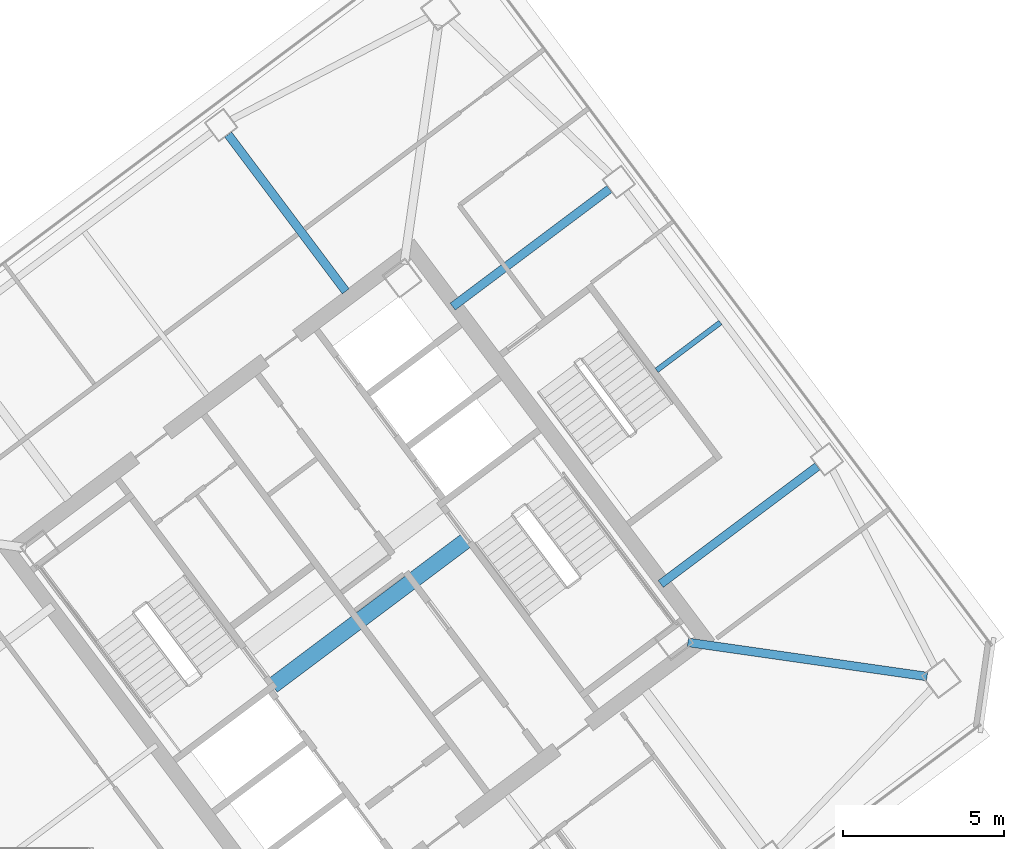
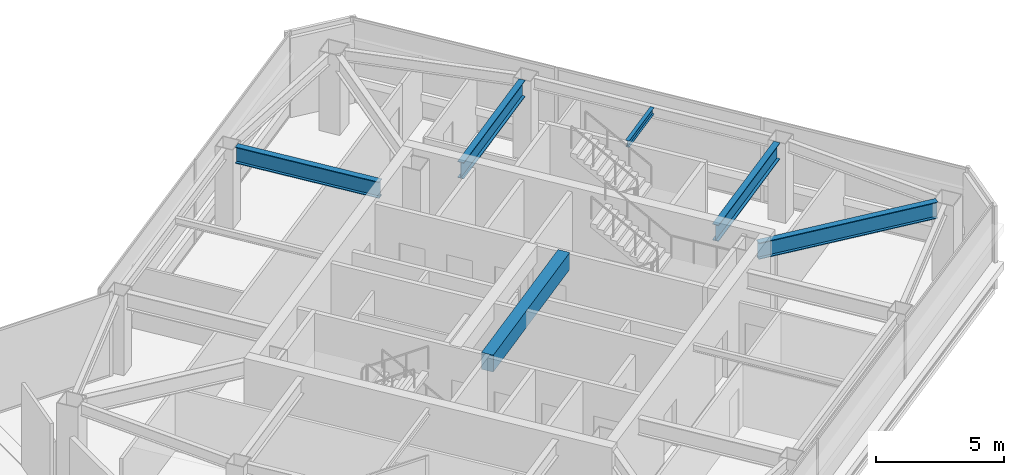
# One storey, part 36 of 53: 6 beams.
"""IFC4 building model written with IfcOpenShell, lengths in metres."""

from ifc_helpers import new_model, si_unit, direction, frame, origin, origin_2d, place, context, subcontext, project, spatial, rectangle, i_section, extrude, material, material_profile, profile_set, type_object, element, save


model = new_model("IFC4")

# Units and contexts
model_context = context("Model", 3, precision=1e-05, world=origin(), true_north=direction((0.0, 1.0)))
body_context = subcontext(model_context, "Body", "Model", "MODEL_VIEW")
ifc_project = project(units=[si_unit("LENGTHUNIT", "METRE"), si_unit("AREAUNIT", "SQUARE_METRE"), si_unit("VOLUMEUNIT", "CUBIC_METRE"), si_unit("PLANEANGLEUNIT", "RADIAN"), si_unit("MASSUNIT", "GRAM", prefix="KILO")], contexts=[model_context])

# Site, building, storey
site_placement = place(None, origin())
site = spatial("IfcSite", under=ifc_project, at=site_placement, CompositionType="ELEMENT")
building_placement = place(site_placement, origin())
building = spatial("IfcBuilding", under=site, at=building_placement, Name="Tashvorn Skyway Center", CompositionType="ELEMENT")
storey_placement = place(building_placement, frame((0.0, 0.0, 255.39990234375)))
storey = spatial("IfcBuildingStorey", under=building, at=storey_placement, Name="L69", CompositionType="ELEMENT", Elevation=255.39990234375)

# Beams
ifc_material_1 = material(Name="Steel ASTM A992 Grade 50", Category="steel")
ifc_material_profile_1 = material_profile(ifc_material_1, i_section(OverallWidth=0.26708984375, OverallDepth=0.779052734375, WebThickness=0.0166015625, FlangeThickness=0.030029296875, at=origin_2d()), Name="W30X148")
ifc_profile_set_1 = profile_set([ifc_material_profile_1], Name="Steel ASTM A992 Grade 50")
beam_type_1 = type_object("IfcBeamType", Name="BM-BEAM-W30X148", PredefinedType="BEAM", material=ifc_profile_set_1)
beam_1_placement = place(storey_placement, frame((131.759521484375, 29.462890625, 3.390625), z_axis=(-0.989948195795, 0.141430441004, 0.0), x_axis=(-0.141430441004, -0.989948195795, 0.0)))
element("IfcBeam", 1, at=beam_1_placement, inside=storey, type_object=beam_type_1, Name="Tower 2 L69 Primary Floor Girder MC-SE", PredefinedType="BEAM", context=body_context, shape_type="SweptSolid", body=[
    extrude(i_section(OverallWidth=0.26708984375, OverallDepth=0.779052734375, WebThickness=0.0166015625, FlangeThickness=0.030029296875, at=origin_2d()), origin(), (0.0, 0.0, 1.0), 7.524658203125),
])
for number, where, z_axis, x_axis, name in (
    (2, (128.343994140625, 36.008056640625, 3.390625), (-0.799980788524, -0.600025614447, 0.0), (0.600025614447, -0.799980788524, 0.0), "Tower 2 L69 Primary Floor Girder FC-E1"),
    (3, (121.864013671875, 44.64794921875, 3.390625), (-0.800014407953, -0.599980788915, 0.0), (0.599980788915, -0.800014407953, 0.0), "Tower 2 L69 Primary Floor Girder FC-E2"),
    (4, (109.991943359375, 46.343994140625, 3.390625), (0.600025614447, -0.799980788524, 0.0), (0.799980788524, 0.600025614447, 0.0), "Tower 2 L69 Primary Floor Girder FC-N1"),
):
    element("IfcBeam", number, at=place(storey_placement, frame(where, z_axis=z_axis, x_axis=x_axis)), inside=storey, type_object=beam_type_1, Name=name, PredefinedType="BEAM", context=body_context, shape_type="SweptSolid", body=[
        extrude(i_section(OverallWidth=0.26708984375, OverallDepth=0.779052734375, WebThickness=0.0166015625, FlangeThickness=0.030029296875, at=origin_2d()), origin(), (0.0, 0.0, 1.0), 6.10009765625),
    ])
ifc_material_profile_2 = material_profile(ifc_material_1, i_section(OverallWidth=0.1650390625, OverallDepth=0.31005859375, WebThickness=0.005859375, FlangeThickness=0.009765625, at=origin_2d()), Name="W12X26")
ifc_profile_set_2 = profile_set([ifc_material_profile_2], Name="Steel ASTM A992 Grade 50")
beam_type_2 = type_object("IfcBeamType", Name="BM-JOIST-W12X26", PredefinedType="JOIST", material=ifc_profile_set_2)
beam_2_placement = place(storey_placement, frame((123.3359375, 39.001953125, 3.625), z_axis=(0.80001180088, 0.599984265171, 0.0), x_axis=(-0.599984265171, 0.80001180088, 0.0)))
element("IfcBeam", 5, at=beam_2_placement, inside=storey, type_object=beam_type_2, Name="Tower 2 L69 Secondary Composite Joist JE", PredefinedType="JOIST", context=body_context, shape_type="SweptSolid", body=[
    extrude(i_section(OverallWidth=0.1650390625, OverallDepth=0.31005859375, WebThickness=0.005859375, FlangeThickness=0.009765625, at=origin_2d()), origin(), (0.0, 0.0, 1.0), 2.482666015625),
])
ifc_material_2 = material(Name="Concrete C50/60", Category="concrete")
ifc_material_profile_3 = material_profile(ifc_material_2, rectangle(XDim=0.5, YDim=0.800048828125, at=origin_2d()), Name="RCB500x800")
ifc_profile_set_3 = profile_set([ifc_material_profile_3], Name="Concrete C50/60")
beam_type_3 = type_object("IfcBeamType", Name="BM-LINTEL-RCB500x800", PredefinedType="LINTEL", material=ifc_profile_set_3)
beam_3_placement = place(storey_placement, frame((111.367919921875, 29.176025390625, 3.380126953125), z_axis=(0.8, 0.6, 0.0), x_axis=(-0.6, 0.8, 0.0)))
element("IfcBeam", 6, at=beam_3_placement, inside=storey, type_object=beam_type_3, Name="Tower 2 L69 Core Coupling Beam CS", PredefinedType="LINTEL", context=body_context, shape_type="SweptSolid", body=[
    extrude(rectangle(XDim=0.5, YDim=0.800048828125, at=origin_2d()), origin(), (0.0, 0.0, 1.0), 7.60009765625),
])

save(model, "model.ifc")
